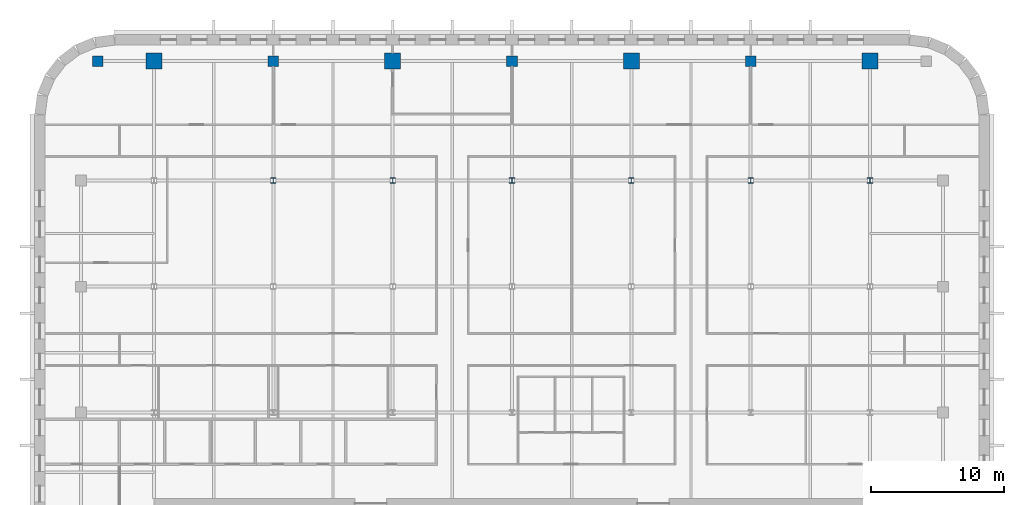
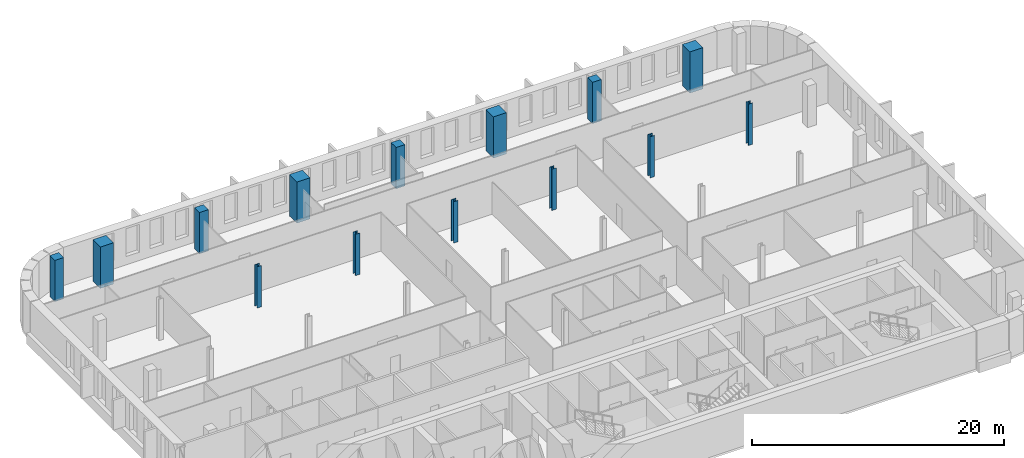
# One storey, part 3 of 15: 14 columns.
"""IFC4 building model written with IfcOpenShell, lengths in metres."""

import ifcopenshell
import ifcopenshell.guid

model = None  # the IFC model being written
_history = None  # IfcOwnerHistory: only IFC2X3 demands one
_inside = {}  # id of a spatial element -> (the spatial element, [elements in it])
_under = {}  # id of a project, library or spatial element -> (it, [spatial elements below it])
_declared = {}  # id of a project -> (the project, [libraries it declares])
_typed = {}  # id of a type object -> (the type object, [elements of that type])
_made_of = {}  # id of a material, layer set ... -> (it, [elements and type objects made of it])


def new_model(schema):
    """Start an empty IFC model of exactly this schema.

    Asked for "IFC4X3", IfcOpenShell would pick the latest addendum, in which some entities
    have other attributes; the version numbers below select the first issue.
    IFC2X3 requires an IfcOwnerHistory on every rooted entity: one is made here for all.
    """
    global model, _history
    if schema == "IFC4X3":
        model = ifcopenshell.file(schema_version=(4, 3, 0, 0))
    else:
        model = ifcopenshell.file(schema=schema)
    _inside.clear()
    _under.clear()
    _declared.clear()
    _typed.clear()
    _made_of.clear()
    _history = None
    if model.schema == "IFC2X3":
        org = make("IfcOrganization", Name="unknown")
        user = make(
            "IfcPersonAndOrganization",
            ThePerson=make("IfcPerson", FamilyName="unknown"),
            TheOrganization=org,
        )
        app = make(
            "IfcApplication",
            ApplicationDeveloper=org,
            Version="unknown",
            ApplicationFullName="unknown",
            ApplicationIdentifier="unknown",
        )
        _history = make(
            "IfcOwnerHistory",
            OwningUser=user,
            OwningApplication=app,
            ChangeAction="ADDED",
            CreationDate=0,
        )
    return model


def make(cls, **values):
    """One entity of the class cls with the attributes given. An attribute that is None is left unset."""
    return model.create_entity(
        cls, **{name: value for name, value in values.items() if value is not None}
    )


def rooted(cls, **values):
    """An entity with a GlobalId (a new one), such as an element, a storey or a relation."""
    return make(cls, GlobalId=ifcopenshell.guid.new(), OwnerHistory=_history, **values)


def si_unit(unit_type, name, prefix=None):
    """IfcSIUnit, for example si_unit("LENGTHUNIT", "METRE", prefix="MILLI")."""
    return make("IfcSIUnit", UnitType=unit_type, Prefix=prefix, Name=name)


def assignment(units):
    """IfcUnitAssignment: the units of a project."""
    return None if units is None else make("IfcUnitAssignment", Units=units)


def point(xyz):
    """IfcCartesianPoint."""
    return None if xyz is None else make("IfcCartesianPoint", Coordinates=xyz)


def direction(xyz):
    """IfcDirection."""
    return None if xyz is None else make("IfcDirection", DirectionRatios=xyz)


def frame(location, z_axis=None, x_axis=None):
    """IfcAxis2Placement3D, a coordinate frame: its origin and axes. An axis left out is left unset."""
    return make(
        "IfcAxis2Placement3D",
        Location=point(location),
        Axis=direction(z_axis),
        RefDirection=direction(x_axis),
    )


def frame_2d(location, x_axis=None):
    """IfcAxis2Placement2D, a coordinate frame in the plane: its origin and x axis."""
    return make(
        "IfcAxis2Placement2D", Location=point(location), RefDirection=direction(x_axis)
    )


def origin():
    """The frame at (0, 0, 0) with its axes left unset."""
    return frame((0.0, 0.0, 0.0))


def origin_2d():
    """The frame at (0, 0) in the plane with its x axis left unset."""
    return frame_2d((0.0, 0.0))


def place(relative_to, where):
    """IfcLocalPlacement: puts the frame where relative to a parent placement (None: the world)."""
    return make(
        "IfcLocalPlacement", PlacementRelTo=relative_to, RelativePlacement=where
    )


def context(
    kind, dimensions, precision=None, world=None, true_north=None, identifier=None
):
    """IfcGeometricRepresentationContext, for example the 3D "Model" context."""
    return make(
        "IfcGeometricRepresentationContext",
        ContextIdentifier=identifier,
        ContextType=kind,
        CoordinateSpaceDimension=dimensions,
        Precision=precision,
        WorldCoordinateSystem=world,
        TrueNorth=true_north,
    )


def subcontext(parent, identifier, kind, view, scale=None):
    """IfcGeometricRepresentationSubContext, for example "Body" below "Model"."""
    return make(
        "IfcGeometricRepresentationSubContext",
        ContextIdentifier=identifier,
        ContextType=kind,
        ParentContext=parent,
        TargetScale=scale,
        TargetView=view,
    )


def project(units=None, contexts=None):
    """IfcProject with its units and contexts."""
    return rooted(
        "IfcProject",
        Name="project",
        RepresentationContexts=contexts,
        UnitsInContext=assignment(units),
    )


def spatial(cls, under=None, at=None, **own):
    """A site, building, storey or space (cls), placed at a placement, below another one or the project."""
    s = rooted(cls, ObjectPlacement=at, **own)
    if under is not None:
        _under.setdefault(under.id(), (under, []))[1].append(s)
    return s


def profile(cls, at=None, kind="AREA", **sizes):
    """A parametric profile (cls). Its sizes go by their IFC names, for example OverallWidth=200.0."""
    return make(cls, ProfileType=kind, Position=at, **sizes)


def rectangle(**sizes):
    """IfcRectangleProfileDef."""
    return profile("IfcRectangleProfileDef", **sizes)


def i_section(**sizes):
    """IfcIShapeProfileDef."""
    return profile("IfcIShapeProfileDef", **sizes)


def extrude(swept, where, along, depth):
    """IfcExtrudedAreaSolid: the profile swept, set in the frame where, extruded along a direction by depth."""
    return make(
        "IfcExtrudedAreaSolid",
        SweptArea=swept,
        Position=where,
        ExtrudedDirection=direction(along),
        Depth=depth,
    )


def shape(context_of_items, identifier, shape_type, items):
    """IfcShapeRepresentation: the items that make up one representation, for example the "Body"."""
    return make(
        "IfcShapeRepresentation",
        ContextOfItems=context_of_items,
        RepresentationIdentifier=identifier,
        RepresentationType=shape_type,
        Items=items,
    )


def material(Name=None, Category=None):
    """IfcMaterial."""
    return make("IfcMaterial", Name=Name, Category=Category)


def material_profile(
    of_material, cross_section, Name=None, Category=None, Priority=None
):
    """IfcMaterialProfile: a cross section and its material."""
    return make(
        "IfcMaterialProfile",
        Name=Name,
        Material=of_material,
        Profile=cross_section,
        Priority=Priority,
        Category=Category,
    )


def profile_set(profiles, Name=None, composite=None):
    """IfcMaterialProfileSet."""
    return make(
        "IfcMaterialProfileSet",
        Name=Name,
        MaterialProfiles=profiles,
        CompositeProfile=composite,
    )


def made_of(thing, what):
    """Note that an element or type object is made of a material, layer set ...; save() writes the relation."""
    if what is not None:
        _made_of.setdefault(what.id(), (what, []))[1].append(thing)
    return thing


def type_object(cls, material=None, **own):
    """A type object (cls), such as IfcWallType, which elements share."""
    return made_of(rooted(cls, **own), material)


def element(
    cls,
    number,
    at=None,
    inside=None,
    cuts=None,
    type_object=None,
    material=None,
    context=None,
    identifier="Body",
    shape_type=None,
    held_by="IfcProductDefinitionShape",
    body=None,
    shapes=None,
    **own,
):
    """One element of the class cls, such as IfcWall. Its Tag is "e" and its number.

    at: its placement. inside: the storey or other place that contains it. cuts: it is an
    opening in that element (IfcRelVoidsElement). A single representation is given by context,
    identifier, shape_type and body (its items); several are given by shapes. held_by: the class
    of the entity that holds the representations. save() writes the other relations.
    """
    e = rooted(cls, Tag="e%d" % number, ObjectPlacement=at, **own)
    if body is not None:
        shapes = [shape(context, identifier, shape_type, body)]
    if shapes is not None:
        e.Representation = make(held_by, Representations=shapes)
    if inside is not None:
        _inside.setdefault(inside.id(), (inside, []))[1].append(e)
    if cuts is not None:
        rooted(
            "IfcRelVoidsElement", RelatingBuildingElement=cuts, RelatedOpeningElement=e
        )
    if type_object is not None:
        _typed.setdefault(type_object.id(), (type_object, []))[1].append(e)
    return made_of(e, material)


def aggregate(whole, parts):
    """IfcRelAggregates: a whole, such as a stair, and the parts it consists of."""
    return rooted("IfcRelAggregates", RelatingObject=whole, RelatedObjects=parts)


def save(model, path):
    """Write the relations noted so far, then the file.

    IfcRelAggregates (storeys below a building ...), IfcRelContainedInSpatialStructure (elements
    in a storey), IfcRelDefinesByType, IfcRelAssociatesMaterial and IfcRelDeclares: one each for
    every whole, place, type object, material and project.
    """
    for whole, parts in _under.values():
        aggregate(whole, parts)
    for where, things in _inside.values():
        rooted(
            "IfcRelContainedInSpatialStructure",
            RelatedElements=things,
            RelatingStructure=where,
        )
    for kind, things in _typed.values():
        rooted("IfcRelDefinesByType", RelatedObjects=things, RelatingType=kind)
    for what, things in _made_of.values():
        rooted("IfcRelAssociatesMaterial", RelatedObjects=things, RelatingMaterial=what)
    for by, libraries in _declared.values():
        rooted("IfcRelDeclares", RelatingContext=by, RelatedDefinitions=libraries)
    model.write(path)


model = new_model("IFC4")

# Units and contexts
model_context = context("Model", 3, precision=1e-05, world=origin(), true_north=direction((0.0, 1.0)))
body_context = subcontext(model_context, "Body", "Model", "MODEL_VIEW")
ifc_project = project(units=[si_unit("LENGTHUNIT", "METRE"), si_unit("AREAUNIT", "SQUARE_METRE"), si_unit("VOLUMEUNIT", "CUBIC_METRE"), si_unit("PLANEANGLEUNIT", "RADIAN"), si_unit("MASSUNIT", "GRAM", prefix="KILO")], contexts=[model_context])

# Site, building, storey
site_placement = place(None, origin())
site = spatial("IfcSite", under=ifc_project, at=site_placement, CompositionType="ELEMENT")
building_placement = place(site_placement, origin())
building = spatial("IfcBuilding", under=site, at=building_placement, Name="Zellij Exchange Tower", CompositionType="ELEMENT")
storey_placement = place(building_placement, frame((0.0, 0.0, 260.5)))
storey = spatial("IfcBuildingStorey", under=building, at=storey_placement, Name="L61", CompositionType="ELEMENT", Elevation=260.5)

# Columns
ifc_material_1 = material(Name="Concrete C50/60", Category="concrete")
ifc_material_profile_1 = material_profile(ifc_material_1, rectangle(XDim=0.800048828125, YDim=0.800048828125, at=origin_2d()), Name="STR-COLUMN RC800x800 C50/60")
ifc_profile_set_1 = profile_set([ifc_material_profile_1], Name="Concrete C50/60")
column_type_1 = type_object("IfcColumnType", Name="STR-COLUMN RC800x800 C50/60", PredefinedType="COLUMN", material=ifc_profile_set_1)
for number, where, z_axis, x_axis, name in (
    (1, (-31.25, 31.0, 0.0), (0.0, 0.0, 1.0), (1.0, 0.0, 0.0), "C15"),
    (2, (-18.0, 31.0, 0.0), (0.0, 0.0, 1.0), (1.0, 0.0, 0.0), "C15"),
    (3, (0.0, 31.0, 0.0), (0.0, 0.0, 1.0), (1.0, 0.0, 0.0), "C15"),
    (4, (18.0, 31.0, 0.0), (0.0, 0.0, 1.0), (1.0, 0.0, 0.0), "C15"),
):
    element("IfcColumn", number, at=place(storey_placement, frame(where, z_axis=z_axis, x_axis=x_axis)), inside=storey, type_object=column_type_1, Name=name, PredefinedType="COLUMN", context=body_context, shape_type="SweptSolid", body=[
        extrude(rectangle(XDim=0.800048828125, YDim=0.800048828125, at=origin_2d()), origin(), (0.0, 0.0, 1.0), 4.0),
    ])
ifc_material_2 = material(Name="Structural steel ASTM A992 Gr 50", Category="steel")
ifc_material_profile_2 = material_profile(ifc_material_2, i_section(OverallWidth=0.398681640625, OverallDepth=0.385986328125, WebThickness=0.02099609375, FlangeThickness=0.033203125, at=origin_2d()), Name="W14x176")
ifc_profile_set_2 = profile_set([ifc_material_profile_2], Name="Structural steel ASTM A992 Gr 50")
column_type_2 = type_object("IfcColumnType", Name="STR-COLUMN W14x176", PredefinedType="COLUMN", material=ifc_profile_set_2)
for number, where, z_axis, x_axis, name in (
    (5, (-18.0, 22.0, 0.0), (0.0, 0.0, 1.0), (1.0, 0.0, 0.0), "C2"),
    (6, (-9.0, 22.0, 0.0), (0.0, 0.0, 1.0), (1.0, 0.0, 0.0), "C2"),
    (7, (0.0, 22.0, 0.0), (0.0, 0.0, 1.0), (1.0, 0.0, 0.0), "C2"),
    (8, (9.0, 22.0, 0.0), (0.0, 0.0, 1.0), (1.0, 0.0, 0.0), "C2"),
    (9, (18.0, 22.0, 0.0), (0.0, 0.0, 1.0), (1.0, 0.0, 0.0), "C2"),
    (10, (27.0, 22.0, 0.0), (0.0, 0.0, 1.0), (1.0, 0.0, 0.0), "C2"),
):
    element("IfcColumn", number, at=place(storey_placement, frame(where, z_axis=z_axis, x_axis=x_axis)), inside=storey, type_object=column_type_2, Name=name, PredefinedType="COLUMN", context=body_context, shape_type="SweptSolid", body=[
        extrude(i_section(OverallWidth=0.398681640625, OverallDepth=0.385986328125, WebThickness=0.02099609375, FlangeThickness=0.033203125, at=origin_2d()), origin(), (0.0, 0.0, 1.0), 4.0),
    ])
ifc_material_profile_3 = material_profile(ifc_material_1, rectangle(XDim=1.199951171875, YDim=1.199951171875, at=origin_2d()), Name="STR-MEGA COLUMN RC1200x1200 C50/60")
ifc_profile_set_3 = profile_set([ifc_material_profile_3], Name="Concrete C50/60")
column_type_3 = type_object("IfcColumnType", Name="STR-MEGA COLUMN RC1200x1200 C50/60", PredefinedType="COLUMN", material=ifc_profile_set_3)
for number, where, z_axis, x_axis, name in (
    (11, (-27.0, 31.0, 0.0), (0.0, 0.0, 1.0), (1.0, 0.0, 0.0), "MC2"),
    (12, (-9.0, 31.0, 0.0), (0.0, 0.0, 1.0), (1.0, 0.0, 0.0), "MC2"),
    (13, (9.0, 31.0, 0.0), (0.0, 0.0, 1.0), (1.0, 0.0, 0.0), "MC2"),
    (14, (27.0, 31.0, 0.0), (0.0, 0.0, 1.0), (1.0, 0.0, 0.0), "MC2"),
):
    element("IfcColumn", number, at=place(storey_placement, frame(where, z_axis=z_axis, x_axis=x_axis)), inside=storey, type_object=column_type_3, Name=name, PredefinedType="COLUMN", context=body_context, shape_type="SweptSolid", body=[
        extrude(rectangle(XDim=1.199951171875, YDim=1.199951171875, at=origin_2d()), origin(), (0.0, 0.0, 1.0), 4.0),
    ])

save(model, "model.ifc")
